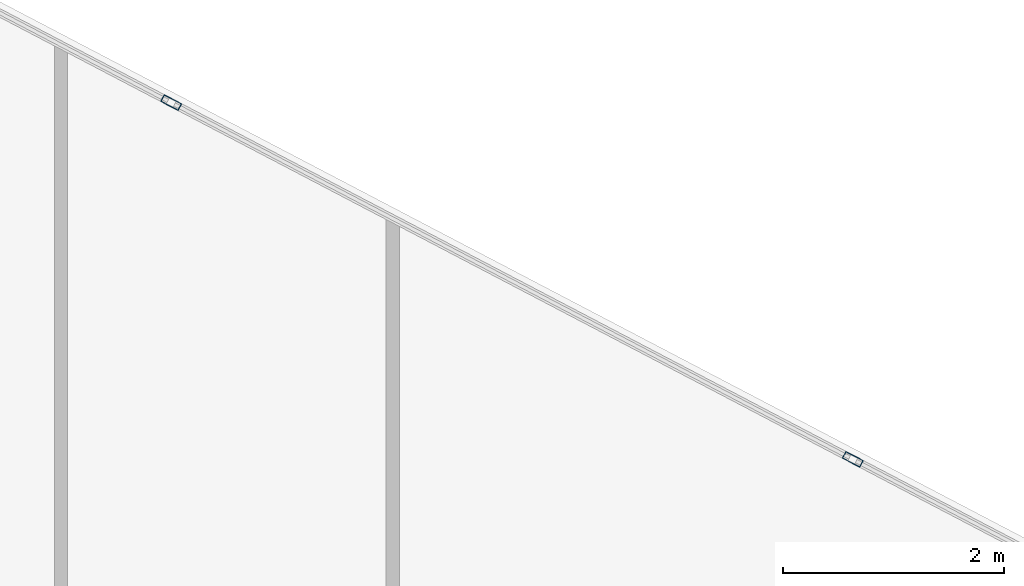
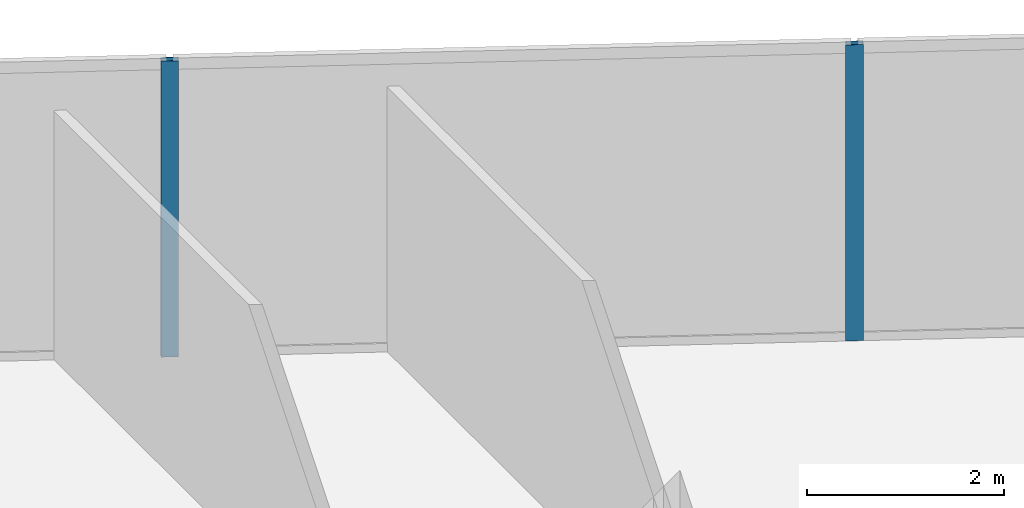
# One storey, part 19 of 27: 2 members, 1 element without a shape of its own.
"""IFC4 building model written with IfcOpenShell, lengths in metres."""

from ifc_helpers import new_model, si_unit, direction, frame, origin, origin_2d, place, context, subcontext, project, spatial, hollow_rectangle, extrude, source, transform, mapped, material, material_profile, profile_set, type_object, type_shapes, element, aggregate, save


model = new_model("IFC4")

# Units and contexts
model_context = context("Model", 3, precision=1e-05, world=origin(), true_north=direction((0.0, 1.0)))
body_context = subcontext(model_context, "Body", "Model", "MODEL_VIEW")
ifc_project = project(units=[si_unit("LENGTHUNIT", "METRE"), si_unit("AREAUNIT", "SQUARE_METRE"), si_unit("VOLUMEUNIT", "CUBIC_METRE"), si_unit("PLANEANGLEUNIT", "RADIAN"), si_unit("MASSUNIT", "GRAM", prefix="KILO")], contexts=[model_context])

# Site, building, storey
site_placement = place(None, origin())
site = spatial("IfcSite", under=ifc_project, at=site_placement, CompositionType="ELEMENT")
building_placement = place(site_placement, origin())
building = spatial("IfcBuilding", under=site, at=building_placement, Name="Krantzveldt Concourse Tower", CompositionType="ELEMENT")
storey_placement = place(building_placement, frame((0.0, 0.0, 154.10009765625)))
storey = spatial("IfcBuildingStorey", under=building, at=storey_placement, Name="L37", CompositionType="ELEMENT", Elevation=154.10009765625)

# Curtain wall, members
ifc_material = material(Name="Anodised aluminium 6063-T6", Category="aluminium")
curtain_wall_type = type_object("IfcCurtainWallType", Name="CW3", PredefinedType="USERDEFINED", material=ifc_material)
curtain_wall_placement = place(storey_placement, origin())
curtain_wall = element("IfcCurtainWall", 1, at=curtain_wall_placement, inside=storey, type_object=curtain_wall_type, Name="CW-L37-F10", ObjectType="UNITISED CURTAIN WALL", PredefinedType="USERDEFINED")
ifc_material_profile = material_profile(ifc_material, hollow_rectangle(XDim=0.070068359375, YDim=0.179931640625, WallThickness=0.0048828125, at=origin_2d()), Name="Anodised aluminium 6063-T6", Category="aluminium")
ifc_profile_set = profile_set([ifc_material_profile], Name="Anodised aluminium 6063-T6 - ALU-MULL 180x70x5")
member_type = type_object("IfcMemberType", Name="CW-MUL-180", PredefinedType="MULLION", material=ifc_profile_set)
shared_shape = source(origin(), body_context, "Body", "SweptSolid", [
    extrude(hollow_rectangle(XDim=0.070068359375, YDim=0.179931640625, WallThickness=0.0048828125, at=origin_2d()), origin(), (0.0, 0.0, 1.0), 3.669921875),
])
type_shapes(member_type, [shared_shape])
member_1_placement = place(storey_placement, frame((55.36279296875, 41.182861328125, 0.0), z_axis=(0.0, 0.0, 1.0), x_axis=(-0.463682819502, -0.886001265743, 0.0)))
member_1 = element("IfcMember", 2, at=member_1_placement, type_object=member_type, Name="CW-Z34 mullion 2", PredefinedType="MULLION", context=body_context, shape_type="MappedRepresentation", body=[
    mapped(shared_shape, transform((0.0, 0.0, 0.0), x_axis=(1.0, 0.0, 0.0), y_axis=(0.0, 1.0, 0.0), z_axis=(0.0, 0.0, 1.0), scale=1.0)),
])
member_2_placement = place(storey_placement, frame((49.1962890625, 44.41015625, 0.0), z_axis=(0.0, 0.0, 1.0), x_axis=(-0.463682819502, -0.886001265743, 0.0)))
member_2 = element("IfcMember", 3, at=member_2_placement, type_object=member_type, Name="CW-Z34 mullion 3", PredefinedType="MULLION", context=body_context, shape_type="MappedRepresentation", body=[
    mapped(shared_shape, transform((0.0, 0.0, 0.0), x_axis=(1.0, 0.0, 0.0), y_axis=(0.0, 1.0, 0.0), z_axis=(0.0, 0.0, 1.0), scale=1.0)),
])
aggregate(curtain_wall, [member_1, member_2])

save(model, "model.ifc")
